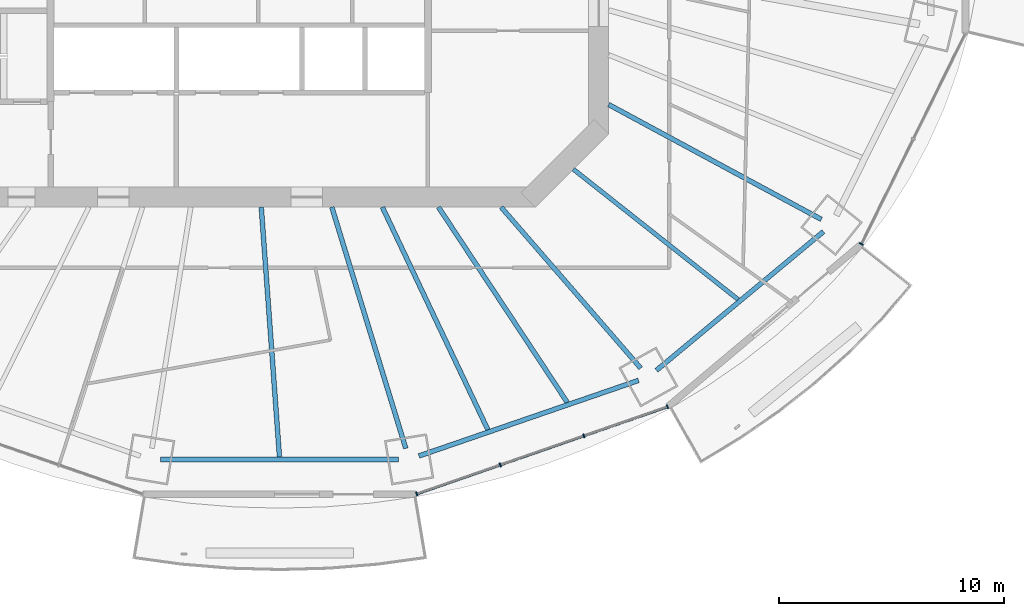
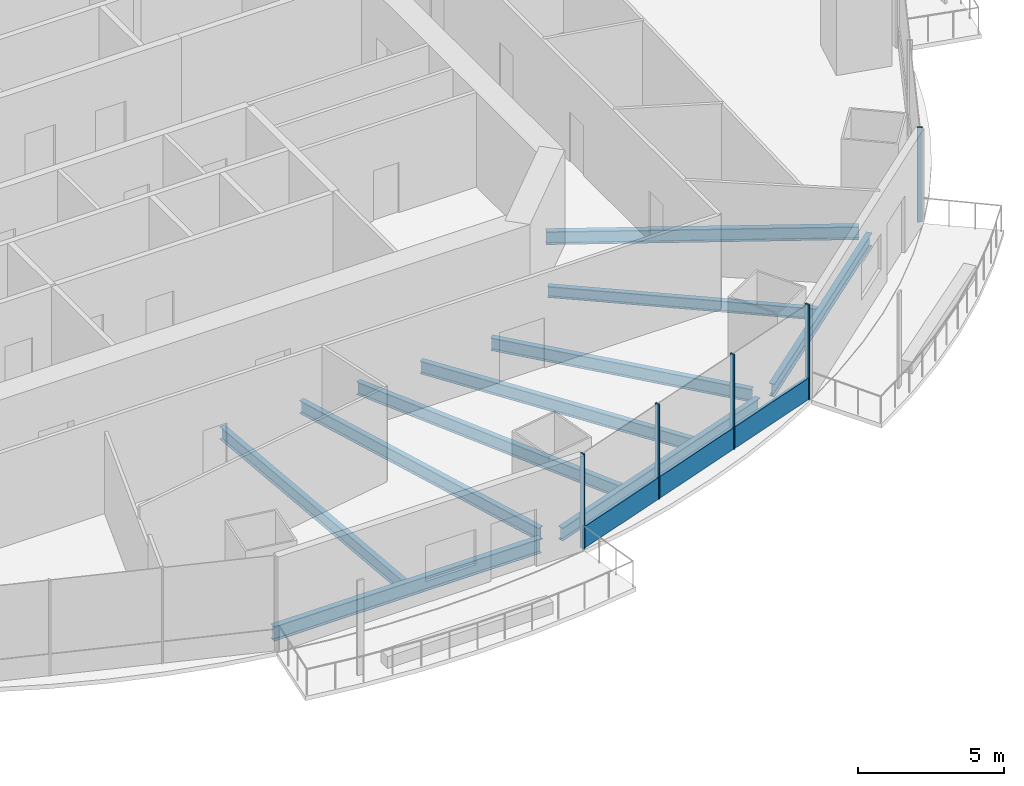
# One storey, part 4 of 20: 10 beams, 6 members, 2 elements without a shape of their own.
"""IFC4 building model written with IfcOpenShell, lengths in metres."""

from ifc_helpers import new_model, si_unit, direction, frame, origin, origin_2d, place, context, subcontext, project, spatial, rectangle, i_section, extrude, material, material_profile, profile_set, type_object, element, aggregate, save


model = new_model("IFC4")

# Units and contexts
model_context = context("Model", 3, precision=1e-05, world=origin(), true_north=direction((0.0, 1.0)))
body_context = subcontext(model_context, "Body", "Model", "MODEL_VIEW")
ifc_project = project(units=[si_unit("LENGTHUNIT", "METRE"), si_unit("AREAUNIT", "SQUARE_METRE"), si_unit("VOLUMEUNIT", "CUBIC_METRE"), si_unit("PLANEANGLEUNIT", "RADIAN"), si_unit("MASSUNIT", "GRAM", prefix="KILO")], contexts=[model_context])

# Site, building, storey
site_placement = place(None, origin())
site = spatial("IfcSite", under=ifc_project, at=site_placement, CompositionType="ELEMENT")
building_placement = place(site_placement, origin())
building = spatial("IfcBuilding", under=site, at=building_placement, Name="Marenthal Gate Tower", CompositionType="ELEMENT")
storey_placement = place(building_placement, frame((0.0, 0.0, 219.14990234375)))
storey = spatial("IfcBuildingStorey", under=building, at=storey_placement, Name="L48", CompositionType="ELEMENT", Elevation=219.14990234375)

# Curtain wall, members
ifc_material_1 = material(Name="Aluminium and glass", Category="aluminium")
curtain_wall_type = type_object("IfcCurtainWallType", Name="Curtain wall typical mid", PredefinedType="NOTDEFINED", material=ifc_material_1)
curtain_wall_1_placement = place(storey_placement, origin())
curtain_wall_1 = element("IfcCurtainWall", 1, at=curtain_wall_1_placement, inside=storey, type_object=curtain_wall_type, Name="Curtain wall L48 bay 13", PredefinedType="NOTDEFINED")
ifc_material_2 = material(Name="Aluminium", Category="aluminium")
ifc_material_profile_1 = material_profile(ifc_material_2, rectangle(XDim=0.179931640625, YDim=0.06005859375, at=origin_2d()), Name="60x180 aluminium mullion")
ifc_profile_set_1 = profile_set([ifc_material_profile_1], Name="Aluminium")
member_type_1 = type_object("IfcMemberType", Name="Mullion 60x180 typical mid", PredefinedType="MULLION", material=ifc_profile_set_1)
member_1_placement = place(storey_placement, frame((7.901611328125, -26.218017578125, 0.0), z_axis=(0.0, 0.0, 1.0), x_axis=(-0.328400483847, 0.944538576348, 0.0)))
member_1 = element("IfcMember", 2, at=member_1_placement, type_object=member_type_1, Name="Mullion L48 bay 13.1", PredefinedType="MULLION", context=body_context, shape_type="SweptSolid", body=[
    extrude(rectangle(XDim=0.179931640625, YDim=0.06005859375, at=origin_2d()), origin(), (0.0, 0.0, 1.0), 3.97021484375),
])
member_2_placement = place(storey_placement, frame((11.623291015625, -24.924072265625, 0.0), z_axis=(0.0, 0.0, 1.0), x_axis=(-0.328400483847, 0.944538576348, 0.0)))
member_2 = element("IfcMember", 3, at=member_2_placement, type_object=member_type_1, Name="Mullion L48 bay 13.2", PredefinedType="MULLION", context=body_context, shape_type="SweptSolid", body=[
    extrude(rectangle(XDim=0.179931640625, YDim=0.06005859375, at=origin_2d()), origin(), (0.0, 0.0, 1.0), 3.97021484375),
])
member_3_placement = place(storey_placement, frame((15.344970703125, -23.630126953125, 0.0), z_axis=(0.0, 0.0, 1.0), x_axis=(-0.328400483847, 0.944538576348, 0.0)))
member_3 = element("IfcMember", 4, at=member_3_placement, type_object=member_type_1, Name="Mullion L48 bay 13.3", PredefinedType="MULLION", context=body_context, shape_type="SweptSolid", body=[
    extrude(rectangle(XDim=0.179931640625, YDim=0.06005859375, at=origin_2d()), origin(), (0.0, 0.0, 1.0), 3.97021484375),
])
member_4_placement = place(storey_placement, frame((19.066650390625, -22.336181640625, 0.0), z_axis=(0.0, 0.0, 1.0), x_axis=(-0.328400483847, 0.944538576348, 0.0)))
member_4 = element("IfcMember", 5, at=member_4_placement, type_object=member_type_1, Name="Mullion L48 bay 13.4", PredefinedType="MULLION", context=body_context, shape_type="SweptSolid", body=[
    extrude(rectangle(XDim=0.179931640625, YDim=0.06005859375, at=origin_2d()), origin(), (0.0, 0.0, 1.0), 3.97021484375),
])

# Curtain wall, member
curtain_wall_2_placement = place(storey_placement, origin())
curtain_wall_2 = element("IfcCurtainWall", 6, at=curtain_wall_2_placement, inside=storey, type_object=curtain_wall_type, Name="Curtain wall L48 bay 15", PredefinedType="NOTDEFINED")
member_5_placement = place(storey_placement, frame((27.69677734375, -15.090087890625, 0.0), z_axis=(0.0, 0.0, 1.0), x_axis=(-0.896756924648, 0.442523466153, 0.0)))
member_5 = element("IfcMember", 7, at=member_5_placement, type_object=member_type_1, Name="Mullion L48 bay 15.1", PredefinedType="MULLION", context=body_context, shape_type="SweptSolid", body=[
    extrude(rectangle(XDim=0.179931640625, YDim=0.06005859375, at=origin_2d()), origin(), (0.0, 0.0, 1.0), 3.97021484375),
])
aggregate(curtain_wall_2, [member_5])

# Member
ifc_material_3 = material(Name="Aluminium", Category="aluminium")
ifc_material_profile_2 = material_profile(ifc_material_3, rectangle(XDim=0.1201171875, YDim=0.89990234375, at=origin_2d()), Name="120x900 aluminium transom")
ifc_profile_set_2 = profile_set([ifc_material_profile_2], Name="Aluminium")
member_type_2 = type_object("IfcMemberType", Name="Transom 120x900 typical mid", PredefinedType="USERDEFINED", material=ifc_profile_set_2)
member_6_placement = place(storey_placement, frame((7.929931640625, -26.208251953125, 0.4501953125), z_axis=(0.944535997597, 0.328407900703, 0.0), x_axis=(-0.328407900703, 0.944535997597, 0.0)))
member_6 = element("IfcMember", 8, at=member_6_placement, type_object=member_type_2, Name="Transom L48 bay 13", ObjectType="TRANSOM", PredefinedType="USERDEFINED", context=body_context, shape_type="SweptSolid", body=[
    extrude(rectangle(XDim=0.1201171875, YDim=0.89990234375, at=origin_2d()), origin(), (0.0, 0.0, 1.0), 11.7607421875),
])

aggregate(curtain_wall_1, [member_1, member_2, member_3, member_4, member_6])

# Beams
ifc_material_4 = material(Name="Steel S355", Category="steel")
ifc_material_profile_3 = material_profile(ifc_material_4, i_section(OverallWidth=0.193115234375, OverallDepth=0.467041015625, WebThickness=0.011474609375, FlangeThickness=0.01904296875, FilletRadius=0.010009765625, at=origin_2d()), Name="W460X97")
ifc_profile_set_3 = profile_set([ifc_material_profile_3], Name="Steel S355")
beam_type_1 = type_object("IfcBeamType", Name="W460X97 beam", PredefinedType="BEAM", material=ifc_profile_set_3)
beam_1_placement = place(storey_placement, frame((22.20849609375, -17.55859375, -0.413330078125), z_axis=(-0.784446026981, 0.620197090249, 0.0), x_axis=(-0.620197090249, -0.784446026981, 0.0)))
element("IfcBeam", 9, at=beam_1_placement, inside=storey, type_object=beam_type_1, Name="BM-L48-37", PredefinedType="BEAM", context=body_context, shape_type="SweptSolid", body=[
    extrude(i_section(OverallWidth=0.193115234375, OverallDepth=0.467041015625, WebThickness=0.011474609375, FlangeThickness=0.01904296875, FilletRadius=0.010009765625, at=origin_2d()), origin(), (0.0, 0.0, 1.0), 9.347900390625),
])
ifc_material_5 = material(Name="Steel S355", Category="steel")
ifc_material_profile_4 = material_profile(ifc_material_5, i_section(OverallWidth=0.2099609375, OverallDepth=0.535888671875, WebThickness=0.010986328125, FlangeThickness=0.017333984375, FilletRadius=0.0126953125, at=origin_2d()), Name="W530X101")
ifc_profile_set_4 = profile_set([ifc_material_profile_4], Name="Steel S355")
beam_type_2 = type_object("IfcBeamType", Name="W530X101 beam", PredefinedType="BEAM", material=ifc_profile_set_4)
beam_2_placement = place(storey_placement, frame((17.875244140625, -20.618408203125, -0.447998046875), z_axis=(-0.655047115291, 0.755588033752, 0.0), x_axis=(-0.755588033752, -0.655047115291, 0.0)))
element("IfcBeam", 10, at=beam_2_placement, inside=storey, type_object=beam_type_2, Name="BM-L48-14", PredefinedType="BEAM", context=body_context, shape_type="SweptSolid", body=[
    extrude(i_section(OverallWidth=0.2099609375, OverallDepth=0.535888671875, WebThickness=0.010986328125, FlangeThickness=0.017333984375, FilletRadius=0.0126953125, at=origin_2d()), origin(), (0.0, 0.0, 1.0), 9.4873046875),
])
beam_3_placement = place(storey_placement, frame((1.79150390625, -24.563720703125, -0.447998046875), z_axis=(-0.072738576009, 0.997351041289, 0.0), x_axis=(-0.997351041289, -0.072738576009, 0.0)))
element("IfcBeam", 11, at=beam_3_placement, inside=storey, type_object=beam_type_2, Name="BM-L48-34", PredefinedType="BEAM", context=body_context, shape_type="SweptSolid", body=[
    extrude(i_section(OverallWidth=0.2099609375, OverallDepth=0.535888671875, WebThickness=0.010986328125, FlangeThickness=0.017333984375, FilletRadius=0.0126953125, at=origin_2d()), origin(), (0.0, 0.0, 1.0), 11.143310546875),
])
beam_4_placement = place(storey_placement, frame((11.070068359375, -23.360107421875, -0.447998046875), z_axis=(-0.428235626574, 0.903667111348, 0.0), x_axis=(-0.903667111348, -0.428235626574, 0.0)))
element("IfcBeam", 12, at=beam_4_placement, inside=storey, type_object=beam_type_2, Name="BM-L48-35", PredefinedType="BEAM", context=body_context, shape_type="SweptSolid", body=[
    extrude(i_section(OverallWidth=0.2099609375, OverallDepth=0.535888671875, WebThickness=0.010986328125, FlangeThickness=0.017333984375, FilletRadius=0.0126953125, at=origin_2d()), origin(), (0.0, 0.0, 1.0), 10.966552734375),
])
beam_5_placement = place(storey_placement, frame((14.606201171875, -22.14306640625, -0.447998046875), z_axis=(-0.550636107406, 0.834745396645, 0.0), x_axis=(-0.834745396645, -0.550636107406, 0.0)))
element("IfcBeam", 13, at=beam_5_placement, inside=storey, type_object=beam_type_2, Name="BM-L48-36", PredefinedType="BEAM", context=body_context, shape_type="SweptSolid", body=[
    extrude(i_section(OverallWidth=0.2099609375, OverallDepth=0.535888671875, WebThickness=0.010986328125, FlangeThickness=0.017333984375, FilletRadius=0.0126953125, at=origin_2d()), origin(), (0.0, 0.0, 1.0), 10.4140625),
])
ifc_material_6 = material(Name="Steel S355", Category="steel")
ifc_material_profile_5 = material_profile(ifc_material_6, i_section(OverallWidth=0.2119140625, OverallDepth=0.5439453125, WebThickness=0.01318359375, FlangeThickness=0.021240234375, FilletRadius=0.0126953125, at=origin_2d()), Name="W530X123")
ifc_profile_set_5 = profile_set([ifc_material_profile_5], Name="Steel S355")
beam_type_3 = type_object("IfcBeamType", Name="W530X123 beam", PredefinedType="BEAM", material=ifc_profile_set_5)
beam_6_placement = place(storey_placement, frame((7.415771484375, -24.191650390625, -0.451904296875), z_axis=(-0.293076342518, 0.95608904264, 0.0), x_axis=(-0.95608904264, -0.293076342518, 0.0)))
element("IfcBeam", 14, at=beam_6_placement, inside=storey, type_object=beam_type_3, Name="BM-L48-13", PredefinedType="BEAM", context=body_context, shape_type="SweptSolid", body=[
    extrude(i_section(OverallWidth=0.2119140625, OverallDepth=0.5439453125, WebThickness=0.01318359375, FlangeThickness=0.021240234375, FilletRadius=0.0126953125, at=origin_2d()), origin(), (0.0, 0.0, 1.0), 11.235107421875),
])
beam_7_placement = place(storey_placement, frame((25.915283203125, -13.99365234375, -0.451904296875), z_axis=(-0.879922477048, 0.475117284873, 0.0), x_axis=(-0.475117284873, -0.879922477048, 0.0)))
element("IfcBeam", 15, at=beam_7_placement, inside=storey, type_object=beam_type_3, Name="BM-L48-15", PredefinedType="BEAM", context=body_context, shape_type="SweptSolid", body=[
    extrude(i_section(OverallWidth=0.2119140625, OverallDepth=0.5439453125, WebThickness=0.01318359375, FlangeThickness=0.021240234375, FilletRadius=0.0126953125, at=origin_2d()), origin(), (0.0, 0.0, 1.0), 10.757080078125),
])
beam_8_placement = place(storey_placement, frame((8.003173828125, -24.527587890625, -0.451904296875), z_axis=(0.945573092466, 0.325409782895, 0.0), x_axis=(-0.325409782895, 0.945573092466, 0.0)))
element("IfcBeam", 16, at=beam_8_placement, inside=storey, type_object=beam_type_3, Name="BM-L48-53", PredefinedType="BEAM", context=body_context, shape_type="SweptSolid", body=[
    extrude(i_section(OverallWidth=0.2119140625, OverallDepth=0.5439453125, WebThickness=0.01318359375, FlangeThickness=0.021240234375, FilletRadius=0.0126953125, at=origin_2d()), origin(), (0.0, 0.0, 1.0), 10.3369140625),
])
beam_9_placement = place(storey_placement, frame((18.576171875, -20.71435546875, -0.451904296875), z_axis=(0.769177190063, 0.639035562615, 0.0), x_axis=(-0.639035562615, 0.769177190063, 0.0)))
element("IfcBeam", 17, at=beam_9_placement, inside=storey, type_object=beam_type_3, Name="BM-L48-54", PredefinedType="BEAM", context=body_context, shape_type="SweptSolid", body=[
    extrude(i_section(OverallWidth=0.2119140625, OverallDepth=0.5439453125, WebThickness=0.01318359375, FlangeThickness=0.021240234375, FilletRadius=0.0126953125, at=origin_2d()), origin(), (0.0, 0.0, 1.0), 9.6630859375),
])
ifc_material_7 = material(Name="Steel S355", Category="steel")
ifc_material_profile_6 = material_profile(ifc_material_7, i_section(OverallWidth=0.22900390625, OverallDepth=0.612060546875, WebThickness=0.011962890625, FlangeThickness=0.01953125, FilletRadius=0.0126953125, at=origin_2d()), Name="W610X125")
ifc_profile_set_6 = profile_set([ifc_material_profile_6], Name="Steel S355")
beam_type_4 = type_object("IfcBeamType", Name="W610X125 beam", PredefinedType="BEAM", material=ifc_profile_set_6)
beam_10_placement = place(storey_placement, frame((-3.501953125, -24.67822265625, -0.48583984375), z_axis=(1.0, 0.0, 0.0), x_axis=(0.0, 1.0, 0.0)))
element("IfcBeam", 18, at=beam_10_placement, inside=storey, type_object=beam_type_4, Name="BM-L48-52", PredefinedType="BEAM", context=body_context, shape_type="SweptSolid", body=[
    extrude(i_section(OverallWidth=0.22900390625, OverallDepth=0.612060546875, WebThickness=0.011962890625, FlangeThickness=0.01953125, FilletRadius=0.0126953125, at=origin_2d()), origin(), (0.0, 0.0, 1.0), 10.60400390625),
])

save(model, "model.ifc")
